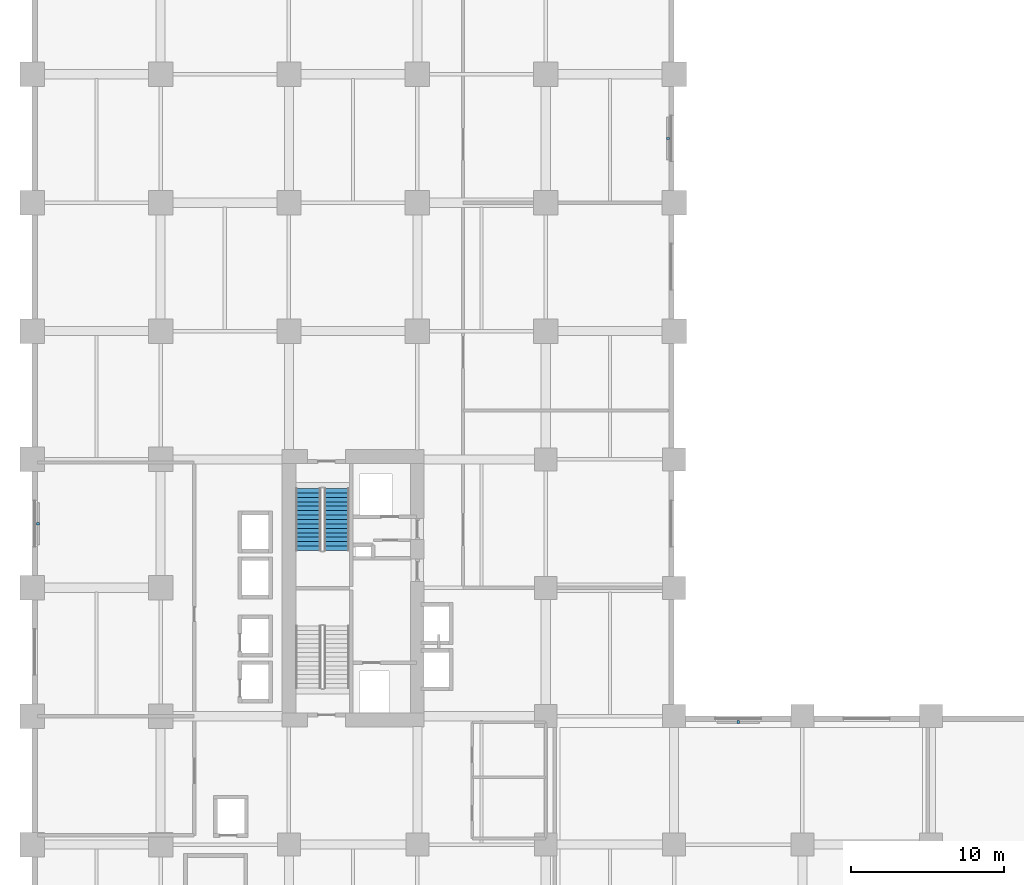
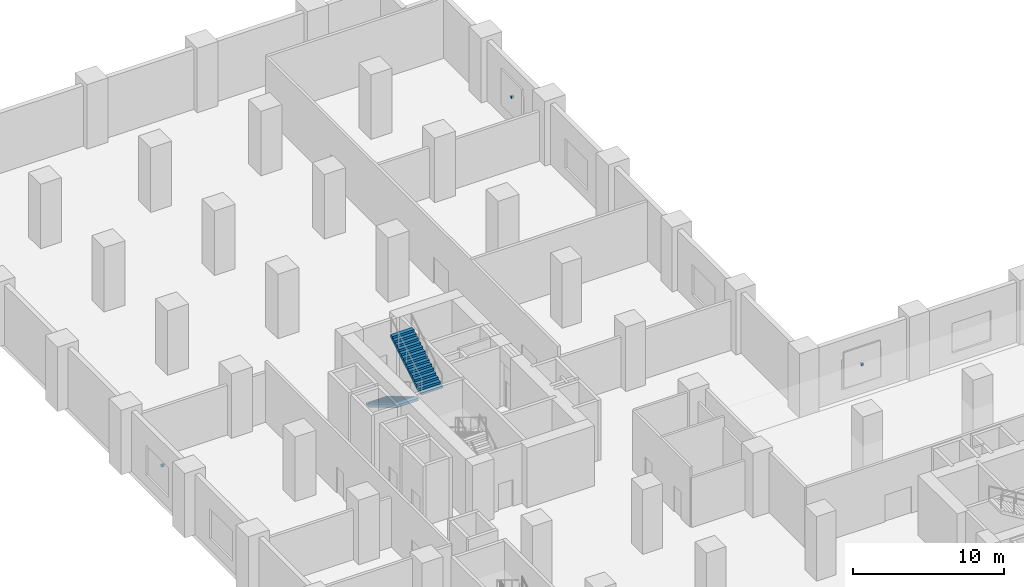
# One storey, part 15 of 19: 3 discrete accessories, 2 stair flights, 1 element without a shape of its own.
"""IFC4 building model written with IfcOpenShell, lengths in metres."""

from ifc_helpers import new_model, si_unit, direction, frame, origin, origin_2d, place, context, subcontext, project, spatial, polyline, rectangle, outline, extrude, material, type_object, element, aggregate, save


model = new_model("IFC4")

# Units and contexts
model_context = context("Model", 3, precision=1e-05, world=origin(), true_north=direction((0.0, 1.0)))
body_context = subcontext(model_context, "Body", "Model", "MODEL_VIEW")
ifc_project = project(units=[si_unit("LENGTHUNIT", "METRE"), si_unit("AREAUNIT", "SQUARE_METRE"), si_unit("VOLUMEUNIT", "CUBIC_METRE"), si_unit("PLANEANGLEUNIT", "RADIAN"), si_unit("MASSUNIT", "GRAM", prefix="KILO")], contexts=[model_context])

# Site, building, storey
site_placement = place(None, origin())
site = spatial("IfcSite", under=ifc_project, at=site_placement, CompositionType="ELEMENT")
building_placement = place(site_placement, origin())
building = spatial("IfcBuilding", under=site, at=building_placement, Name="Koriwani Terraces Tower", CompositionType="ELEMENT")
storey_placement = place(building_placement, frame((0.0, 0.0, 15.60009765625)))
storey = spatial("IfcBuildingStorey", under=building, at=storey_placement, Name="L03", CompositionType="ELEMENT", Elevation=15.60009765625)

# Stair, stair flights
ifc_material_1 = material(Name="Concrete C40/50", Category="concrete")
stair_type = type_object("IfcStairType", Name="STAIR_CORE_DOGLEG_1650", PredefinedType="TWO_STRAIGHT_RUN_STAIR", material=ifc_material_1)
stair_placement = place(storey_placement, origin())
stair = element("IfcStair", 1, at=stair_placement, inside=storey, type_object=stair_type, Name="L03 West Core Exit Stair 2", PredefinedType="HALF_TURN_STAIR")
stair_flight_type = type_object("IfcStairFlightType", Name="STAIR_FLIGHT_RC_1650", PredefinedType="STRAIGHT", material=ifc_material_1)
stair_flight_1_placement = place(storey_placement, frame((18.074951171875, 56.89990234375, 0.0), z_axis=(0.0, 0.0, 1.0), x_axis=(0.0, -1.0, 0.0)))
stair_flight_1 = element("IfcStairFlight", 2, at=stair_flight_1_placement, type_object=stair_flight_type, Name="ST-W2 flight 1", NumberOfRisers=15, NumberOfTreads=14, PredefinedType="STRAIGHT", RiserHeight=0.173333333, TreadLength=0.29, context=body_context, shape_type="SweptSolid", body=[
    extrude(outline(polyline([(0.0, 0.0), (0.0, 0.17333984375), (0.2900390625, 0.17333984375), (0.2900390625, 0.3466796875), (0.580078125, 0.3466796875), (0.580078125, 0.52001953125), (0.8701171875, 0.52001953125), (0.8701171875, 0.693359375), (1.159912109375, 0.693359375), (1.159912109375, 0.86669921875), (1.449951171875, 0.86669921875), (1.449951171875, 1.0400390625), (1.739990234375, 1.0400390625), (1.739990234375, 1.21337890625), (2.030029296875, 1.21337890625), (2.030029296875, 1.38671875), (2.320068359375, 1.38671875), (2.320068359375, 1.56005859375), (2.610107421875, 1.56005859375), (2.610107421875, 1.7333984375), (2.89990234375, 1.7333984375), (2.89990234375, 1.90673828125), (3.18994140625, 1.90673828125), (3.18994140625, 2.080078125), (3.47998046875, 2.080078125), (3.47998046875, 2.25341796875), (3.77001953125, 2.25341796875), (3.77001953125, 2.4267578125), (4.06005859375, 2.4267578125), (4.06005859375, 2.60009765625), (4.06005859375, 2.217041015625), (0.350830078125, 0.0), (0.0, 0.0)])), frame((0.0, 0.824951171875, 0.0), z_axis=(0.0, -1.0, 0.0), x_axis=(1.0, 0.0, 0.0)), (0.0, 0.0, 1.0), 1.64990234375),
])
stair_flight_2_placement = place(storey_placement, frame((19.925048828125, 52.840087890625, 2.599853515625), z_axis=(0.0, 0.0, 1.0), x_axis=(0.0, 1.0, 0.0)))
stair_flight_2 = element("IfcStairFlight", 3, at=stair_flight_2_placement, type_object=stair_flight_type, Name="ST-W2 flight 2", NumberOfRisers=15, NumberOfTreads=14, PredefinedType="STRAIGHT", RiserHeight=0.173333333, TreadLength=0.29, context=body_context, shape_type="SweptSolid", body=[
    extrude(outline(polyline([(0.0, 0.0), (0.0, 0.17333984375), (0.2900390625, 0.17333984375), (0.2900390625, 0.3466796875), (0.580078125, 0.3466796875), (0.580078125, 0.52001953125), (0.8701171875, 0.52001953125), (0.8701171875, 0.693359375), (1.159912109375, 0.693359375), (1.159912109375, 0.86669921875), (1.449951171875, 0.86669921875), (1.449951171875, 1.0400390625), (1.739990234375, 1.0400390625), (1.739990234375, 1.21337890625), (2.030029296875, 1.21337890625), (2.030029296875, 1.38671875), (2.320068359375, 1.38671875), (2.320068359375, 1.56005859375), (2.610107421875, 1.56005859375), (2.610107421875, 1.7333984375), (2.89990234375, 1.7333984375), (2.89990234375, 1.90673828125), (3.18994140625, 1.90673828125), (3.18994140625, 2.080078125), (3.47998046875, 2.080078125), (3.47998046875, 2.25341796875), (3.77001953125, 2.25341796875), (3.77001953125, 2.4267578125), (4.06005859375, 2.4267578125), (4.06005859375, 2.60009765625), (4.06005859375, 2.217041015625), (0.350830078125, 0.0), (0.0, 0.0)])), frame((0.0, 0.824951171875, 0.0), z_axis=(0.0, -1.0, 0.0), x_axis=(1.0, 0.0, 0.0)), (0.0, 0.0, 1.0), 1.64990234375),
])
aggregate(stair, [stair_flight_1, stair_flight_2])

# Discrete accessories
ifc_material_2 = material(Name="Steel ASTM A572 Grade 50", Category="steel")
discrete_accessory_type = type_object("IfcDiscreteAccessoryType", Name="BAGUETTE_STANDOFF_BRACKET", PredefinedType="BRACKET", material=ifc_material_2)
for number, where, z_axis, x_axis, name in (
    (4, (0.389892578125, 54.60009765625, 2.3349609375), (0.0, 0.0, 1.0), (0.0, 1.0, 0.0), "L03 Terracotta Baguette Bracket (W-18)"),
    (5, (41.610107421875, 79.800048828125, 2.3349609375), (0.0, 0.0, 1.0), (0.0, -1.0, 0.0), "L03 Terracotta Baguette Bracket (NW_IN-14)"),
    (6, (46.199951171875, 41.610107421875, 2.3349609375), (0.0, 0.0, 1.0), (1.0, 0.0, 0.0), "L03 Terracotta Baguette Bracket (NE-2)"),
):
    element("IfcDiscreteAccessory", number, at=place(storey_placement, frame(where, z_axis=z_axis, x_axis=x_axis)), inside=storey, type_object=discrete_accessory_type, Name=name, PredefinedType="BRACKET", context=body_context, shape_type="SweptSolid", body=[
        extrude(rectangle(XDim=0.159912109375, YDim=0.199951171875, at=origin_2d()), origin(), (0.0, 0.0, 1.0), 0.179931640625),
    ])

save(model, "model.ifc")
